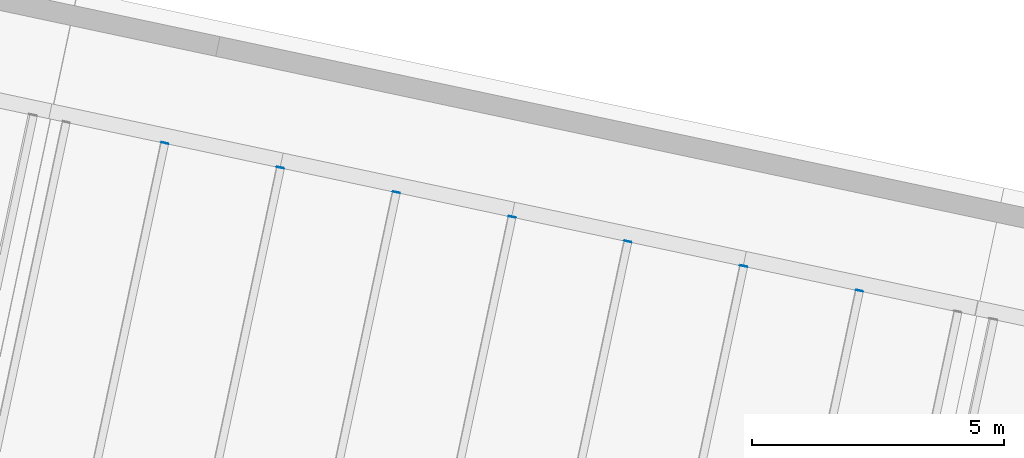
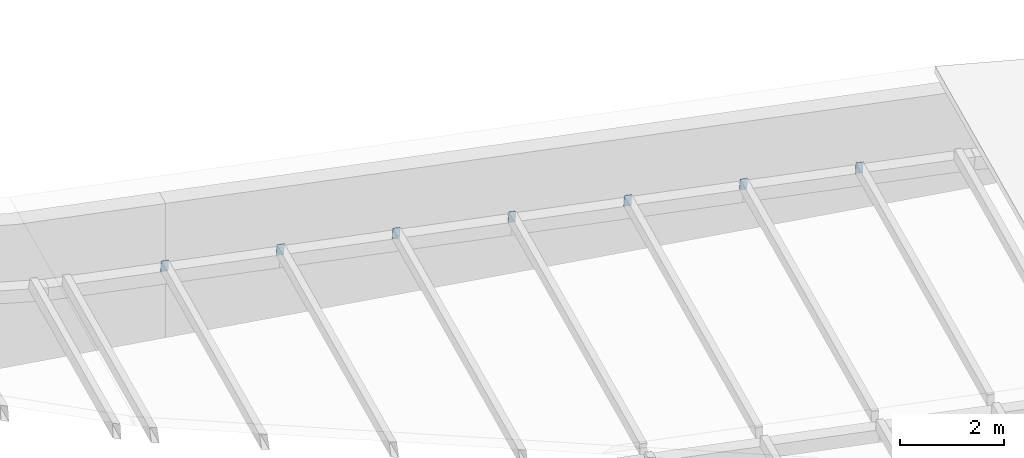
# One storey, part 169 of 196: 7 discrete accessories.
"""IFC4 building model written with IfcOpenShell, lengths in metres."""

import ifcopenshell
import ifcopenshell.guid

model = None  # the IFC model being written
_history = None  # IfcOwnerHistory: only IFC2X3 demands one
_inside = {}  # id of a spatial element -> (the spatial element, [elements in it])
_under = {}  # id of a project, library or spatial element -> (it, [spatial elements below it])
_declared = {}  # id of a project -> (the project, [libraries it declares])
_typed = {}  # id of a type object -> (the type object, [elements of that type])
_made_of = {}  # id of a material, layer set ... -> (it, [elements and type objects made of it])


def new_model(schema):
    """Start an empty IFC model of exactly this schema.

    Asked for "IFC4X3", IfcOpenShell would pick the latest addendum, in which some entities
    have other attributes; the version numbers below select the first issue.
    IFC2X3 requires an IfcOwnerHistory on every rooted entity: one is made here for all.
    """
    global model, _history
    if schema == "IFC4X3":
        model = ifcopenshell.file(schema_version=(4, 3, 0, 0))
    else:
        model = ifcopenshell.file(schema=schema)
    _inside.clear()
    _under.clear()
    _declared.clear()
    _typed.clear()
    _made_of.clear()
    _history = None
    if model.schema == "IFC2X3":
        org = make("IfcOrganization", Name="unknown")
        user = make(
            "IfcPersonAndOrganization",
            ThePerson=make("IfcPerson", FamilyName="unknown"),
            TheOrganization=org,
        )
        app = make(
            "IfcApplication",
            ApplicationDeveloper=org,
            Version="unknown",
            ApplicationFullName="unknown",
            ApplicationIdentifier="unknown",
        )
        _history = make(
            "IfcOwnerHistory",
            OwningUser=user,
            OwningApplication=app,
            ChangeAction="ADDED",
            CreationDate=0,
        )
    return model


def make(cls, **values):
    """One entity of the class cls with the attributes given. An attribute that is None is left unset."""
    return model.create_entity(
        cls, **{name: value for name, value in values.items() if value is not None}
    )


def rooted(cls, **values):
    """An entity with a GlobalId (a new one), such as an element, a storey or a relation."""
    return make(cls, GlobalId=ifcopenshell.guid.new(), OwnerHistory=_history, **values)


def si_unit(unit_type, name, prefix=None):
    """IfcSIUnit, for example si_unit("LENGTHUNIT", "METRE", prefix="MILLI")."""
    return make("IfcSIUnit", UnitType=unit_type, Prefix=prefix, Name=name)


def assignment(units):
    """IfcUnitAssignment: the units of a project."""
    return None if units is None else make("IfcUnitAssignment", Units=units)


def point(xyz):
    """IfcCartesianPoint."""
    return None if xyz is None else make("IfcCartesianPoint", Coordinates=xyz)


def direction(xyz):
    """IfcDirection."""
    return None if xyz is None else make("IfcDirection", DirectionRatios=xyz)


def frame(location, z_axis=None, x_axis=None):
    """IfcAxis2Placement3D, a coordinate frame: its origin and axes. An axis left out is left unset."""
    return make(
        "IfcAxis2Placement3D",
        Location=point(location),
        Axis=direction(z_axis),
        RefDirection=direction(x_axis),
    )


def frame_2d(location, x_axis=None):
    """IfcAxis2Placement2D, a coordinate frame in the plane: its origin and x axis."""
    return make(
        "IfcAxis2Placement2D", Location=point(location), RefDirection=direction(x_axis)
    )


def origin():
    """The frame at (0, 0, 0) with its axes left unset."""
    return frame((0.0, 0.0, 0.0))


def origin_2d():
    """The frame at (0, 0) in the plane with its x axis left unset."""
    return frame_2d((0.0, 0.0))


def place(relative_to, where):
    """IfcLocalPlacement: puts the frame where relative to a parent placement (None: the world)."""
    return make(
        "IfcLocalPlacement", PlacementRelTo=relative_to, RelativePlacement=where
    )


def context(
    kind, dimensions, precision=None, world=None, true_north=None, identifier=None
):
    """IfcGeometricRepresentationContext, for example the 3D "Model" context."""
    return make(
        "IfcGeometricRepresentationContext",
        ContextIdentifier=identifier,
        ContextType=kind,
        CoordinateSpaceDimension=dimensions,
        Precision=precision,
        WorldCoordinateSystem=world,
        TrueNorth=true_north,
    )


def subcontext(parent, identifier, kind, view, scale=None):
    """IfcGeometricRepresentationSubContext, for example "Body" below "Model"."""
    return make(
        "IfcGeometricRepresentationSubContext",
        ContextIdentifier=identifier,
        ContextType=kind,
        ParentContext=parent,
        TargetScale=scale,
        TargetView=view,
    )


def project(units=None, contexts=None):
    """IfcProject with its units and contexts."""
    return rooted(
        "IfcProject",
        Name="project",
        RepresentationContexts=contexts,
        UnitsInContext=assignment(units),
    )


def spatial(cls, under=None, at=None, **own):
    """A site, building, storey or space (cls), placed at a placement, below another one or the project."""
    s = rooted(cls, ObjectPlacement=at, **own)
    if under is not None:
        _under.setdefault(under.id(), (under, []))[1].append(s)
    return s


def profile(cls, at=None, kind="AREA", **sizes):
    """A parametric profile (cls). Its sizes go by their IFC names, for example OverallWidth=200.0."""
    return make(cls, ProfileType=kind, Position=at, **sizes)


def rectangle(**sizes):
    """IfcRectangleProfileDef."""
    return profile("IfcRectangleProfileDef", **sizes)


def extrude(swept, where, along, depth):
    """IfcExtrudedAreaSolid: the profile swept, set in the frame where, extruded along a direction by depth."""
    return make(
        "IfcExtrudedAreaSolid",
        SweptArea=swept,
        Position=where,
        ExtrudedDirection=direction(along),
        Depth=depth,
    )


def shape(context_of_items, identifier, shape_type, items):
    """IfcShapeRepresentation: the items that make up one representation, for example the "Body"."""
    return make(
        "IfcShapeRepresentation",
        ContextOfItems=context_of_items,
        RepresentationIdentifier=identifier,
        RepresentationType=shape_type,
        Items=items,
    )


def material(Name=None, Category=None):
    """IfcMaterial."""
    return make("IfcMaterial", Name=Name, Category=Category)


def layer(
    of_material, thickness, ventilated=None, Name=None, Category=None, Priority=None
):
    """IfcMaterialLayer: one layer of a wall or slab, of a material (None: an air gap)."""
    return make(
        "IfcMaterialLayer",
        Material=of_material,
        LayerThickness=thickness,
        IsVentilated=ventilated,
        Name=Name,
        Category=Category,
        Priority=Priority,
    )


def layer_set(layers, Name=None):
    """IfcMaterialLayerSet."""
    return make("IfcMaterialLayerSet", MaterialLayers=layers, LayerSetName=Name)


def made_of(thing, what):
    """Note that an element or type object is made of a material, layer set ...; save() writes the relation."""
    if what is not None:
        _made_of.setdefault(what.id(), (what, []))[1].append(thing)
    return thing


def type_object(cls, material=None, **own):
    """A type object (cls), such as IfcWallType, which elements share."""
    return made_of(rooted(cls, **own), material)


def element(
    cls,
    number,
    at=None,
    inside=None,
    cuts=None,
    type_object=None,
    material=None,
    context=None,
    identifier="Body",
    shape_type=None,
    held_by="IfcProductDefinitionShape",
    body=None,
    shapes=None,
    **own,
):
    """One element of the class cls, such as IfcWall. Its Tag is "e" and its number.

    at: its placement. inside: the storey or other place that contains it. cuts: it is an
    opening in that element (IfcRelVoidsElement). A single representation is given by context,
    identifier, shape_type and body (its items); several are given by shapes. held_by: the class
    of the entity that holds the representations. save() writes the other relations.
    """
    e = rooted(cls, Tag="e%d" % number, ObjectPlacement=at, **own)
    if body is not None:
        shapes = [shape(context, identifier, shape_type, body)]
    if shapes is not None:
        e.Representation = make(held_by, Representations=shapes)
    if inside is not None:
        _inside.setdefault(inside.id(), (inside, []))[1].append(e)
    if cuts is not None:
        rooted(
            "IfcRelVoidsElement", RelatingBuildingElement=cuts, RelatedOpeningElement=e
        )
    if type_object is not None:
        _typed.setdefault(type_object.id(), (type_object, []))[1].append(e)
    return made_of(e, material)


def aggregate(whole, parts):
    """IfcRelAggregates: a whole, such as a stair, and the parts it consists of."""
    return rooted("IfcRelAggregates", RelatingObject=whole, RelatedObjects=parts)


def save(model, path):
    """Write the relations noted so far, then the file.

    IfcRelAggregates (storeys below a building ...), IfcRelContainedInSpatialStructure (elements
    in a storey), IfcRelDefinesByType, IfcRelAssociatesMaterial and IfcRelDeclares: one each for
    every whole, place, type object, material and project.
    """
    for whole, parts in _under.values():
        aggregate(whole, parts)
    for where, things in _inside.values():
        rooted(
            "IfcRelContainedInSpatialStructure",
            RelatedElements=things,
            RelatingStructure=where,
        )
    for kind, things in _typed.values():
        rooted("IfcRelDefinesByType", RelatedObjects=things, RelatingType=kind)
    for what, things in _made_of.values():
        rooted("IfcRelAssociatesMaterial", RelatedObjects=things, RelatingMaterial=what)
    for by, libraries in _declared.values():
        rooted("IfcRelDeclares", RelatingContext=by, RelatedDefinitions=libraries)
    model.write(path)


model = new_model("IFC4")

# Units and contexts
model_context = context("Model", 3, precision=1e-05, world=origin(), true_north=direction((0.0, 1.0)))
body_context = subcontext(model_context, "Body", "Model", "MODEL_VIEW")
ifc_project = project(units=[si_unit("LENGTHUNIT", "METRE"), si_unit("AREAUNIT", "SQUARE_METRE"), si_unit("VOLUMEUNIT", "CUBIC_METRE"), si_unit("PLANEANGLEUNIT", "RADIAN"), si_unit("MASSUNIT", "GRAM", prefix="KILO")], contexts=[model_context])

# Site, building, storey
site_placement = place(None, origin())
site = spatial("IfcSite", under=ifc_project, at=site_placement, CompositionType="ELEMENT")
building_placement = place(site_placement, origin())
building = spatial("IfcBuilding", under=site, at=building_placement, Name="Okhra Congress Centre", CompositionType="ELEMENT")
storey_placement = place(building_placement, frame((0.0, 0.0, 12.0)))
storey = spatial("IfcBuildingStorey", under=building, at=storey_placement, Name="L02", CompositionType="ELEMENT", Elevation=12.0)

# Discrete accessories
ifc_material = material(Name="Steel S355J2", Category="steel")
ifc_layer = layer(ifc_material, 0.011962890625)
ifc_layer_set = layer_set([ifc_layer], Name="Hollow section end cap 12 mm S355")
discrete_accessory_type = type_object("IfcDiscreteAccessoryType", Name="Hollow section end cap 12 mm S355", PredefinedType="BRACKET", material=ifc_layer_set)
for number, where, z_axis, x_axis, name in (
    (1, (229.45654296875, 132.698486328125, 3.094970703125), (0.223376156329, 0.974732318528, 0.0), (-0.973396481762, 0.22307002707, 0.052335956243), "Hollow section end cap"),
    (2, (231.75537109375, 132.2099609375, 2.971923828125), (0.203954254112, 0.978980419738, 0.0), (-0.977638761096, 0.203674741895, 0.052335956243), "Hollow section end cap"),
    (3, (234.053955078125, 131.72119140625, 2.848876953125), (0.203954254112, 0.978980419738, 0.0), (-0.977638761096, 0.203674741895, 0.052335956243), "Hollow section end cap"),
    (4, (236.3525390625, 131.232666015625, 2.7255859375), (0.203954254112, 0.978980419738, 0.0), (-0.977638761096, 0.203674741895, 0.052335956243), "Hollow section end cap"),
    (5, (238.651123046875, 130.744140625, 2.6025390625), (0.223376156329, 0.974732318528, 0.0), (-0.973396481762, 0.22307002707, 0.052335956243), "Hollow section end cap"),
):
    element("IfcDiscreteAccessory", number, at=place(storey_placement, frame(where, z_axis=z_axis, x_axis=x_axis)), inside=storey, type_object=discrete_accessory_type, Name=name, PredefinedType="BRACKET", context=body_context, shape_type="SweptSolid", body=[
        extrude(rectangle(XDim=0.14990234375, YDim=0.25, at=origin_2d()), origin(), (0.0, 0.0, 1.0), 0.011962890625),
    ])
discrete_accessory_1_placement = place(storey_placement, frame((240.949951171875, 130.25537109375, 2.479248046875), z_axis=(0.199960011996, 0.97980405878, 0.0), x_axis=(-0.978461271371, 0.199685973749, 0.052335956243)))
element("IfcDiscreteAccessory", 6, at=discrete_accessory_1_placement, inside=storey, type_object=discrete_accessory_type, Name="Hollow section end cap", PredefinedType="BRACKET", context=body_context, shape_type="SweptSolid", body=[
    extrude(rectangle(XDim=0.14990234375, YDim=0.25, at=origin_2d()), origin(), (0.0, 0.0, 1.0), 0.01220703125),
])
discrete_accessory_2_placement = place(storey_placement, frame((243.24853515625, 129.766845703125, 2.356201171875), z_axis=(0.203954254112, 0.978980419738, 0.0), x_axis=(-0.977638761096, 0.203674741895, 0.052335956243)))
element("IfcDiscreteAccessory", 7, at=discrete_accessory_2_placement, inside=storey, type_object=discrete_accessory_type, Name="Hollow section end cap", PredefinedType="BRACKET", context=body_context, shape_type="SweptSolid", body=[
    extrude(rectangle(XDim=0.14990234375, YDim=0.25, at=origin_2d()), origin(), (0.0, 0.0, 1.0), 0.011962890625),
])

save(model, "model.ifc")
